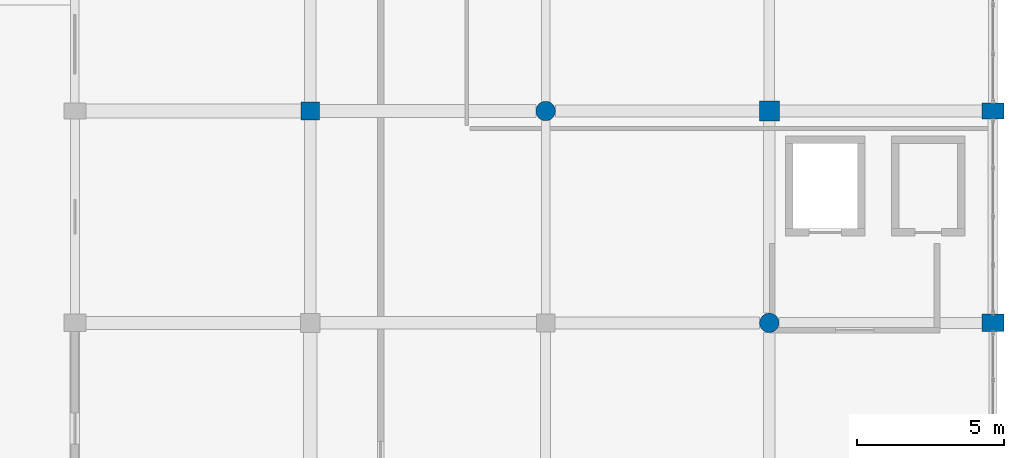
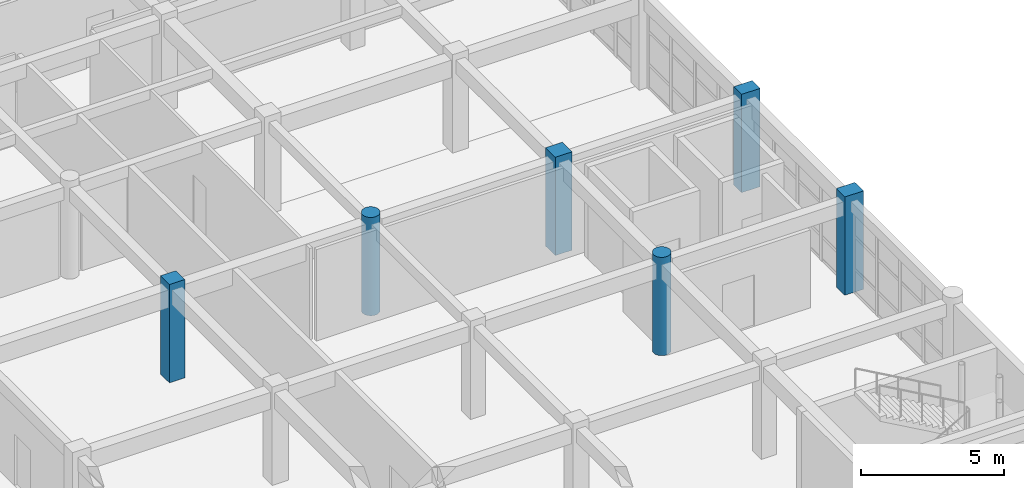
# One storey, part 29 of 195: 6 columns.
"""IFC4 building model written with IfcOpenShell, lengths in metres."""

from ifc_helpers import new_model, si_unit, direction, frame, origin, origin_2d, place, context, subcontext, project, spatial, rectangle, circle, extrude, material, material_profile, profile_set, type_object, element, save


model = new_model("IFC4")

# Units and contexts
model_context = context("Model", 3, precision=1e-05, world=origin(), true_north=direction((0.0, 1.0)))
body_context = subcontext(model_context, "Body", "Model", "MODEL_VIEW")
ifc_project = project(units=[si_unit("LENGTHUNIT", "METRE"), si_unit("AREAUNIT", "SQUARE_METRE"), si_unit("VOLUMEUNIT", "CUBIC_METRE"), si_unit("PLANEANGLEUNIT", "RADIAN"), si_unit("MASSUNIT", "GRAM", prefix="KILO")], contexts=[model_context])

# Site, building, storey
site_placement = place(None, origin())
site = spatial("IfcSite", under=ifc_project, at=site_placement, CompositionType="ELEMENT")
building_placement = place(site_placement, origin())
building = spatial("IfcBuilding", under=site, at=building_placement, Name="Kharva Crest Polytechnic", CompositionType="ELEMENT")
storey_placement = place(building_placement, frame((0.0, 0.0, 9.0)))
storey = spatial("IfcBuildingStorey", under=building, at=storey_placement, Name="L02", CompositionType="ELEMENT", Elevation=9.0)

# Columns
ifc_material = material(Name="Concrete C40/50", Category="concrete")
ifc_material_profile_1 = material_profile(ifc_material, rectangle(XDim=0.75, YDim=0.550048828125, at=origin_2d()), Name="RECT 750 X 550")
ifc_profile_set_1 = profile_set([ifc_material_profile_1], Name="Concrete C40/50")
column_type_1 = type_object("IfcColumnType", Name="COL-EXT-750X550", PredefinedType="COLUMN", material=ifc_profile_set_1)
column_1_placement = place(storey_placement, frame((184.0, 93.199951171875, 0.0), z_axis=(0.0, 0.0, 1.0), x_axis=(1.0, 0.0, 0.0)))
element("IfcColumn", 1, at=column_1_placement, inside=storey, type_object=column_type_1, Name="L02 Column 24/N", PredefinedType="COLUMN", context=body_context, shape_type="SweptSolid", body=[
    extrude(rectangle(XDim=0.75, YDim=0.550048828125, at=origin_2d()), origin(), (0.0, 0.0, 1.0), 4.199951171875),
])
ifc_material_profile_2 = material_profile(ifc_material, rectangle(XDim=0.75, YDim=0.60009765625, at=origin_2d()), Name="RECT 750 X 600")
ifc_profile_set_2 = profile_set([ifc_material_profile_2], Name="Concrete C40/50")
column_type_2 = type_object("IfcColumnType", Name="COL-EXT-750X600", PredefinedType="COLUMN", material=ifc_profile_set_2)
column_2_placement = place(storey_placement, frame((184.0, 86.0, 0.0), z_axis=(0.0, 0.0, 1.0), x_axis=(1.0, 0.0, 0.0)))
element("IfcColumn", 2, at=column_2_placement, inside=storey, type_object=column_type_2, Name="L02 Column 24/M", PredefinedType="COLUMN", context=body_context, shape_type="SweptSolid", body=[
    extrude(rectangle(XDim=0.75, YDim=0.60009765625, at=origin_2d()), origin(), (0.0, 0.0, 1.0), 4.199951171875),
])
ifc_material_profile_3 = material_profile(ifc_material, rectangle(XDim=0.6201171875, YDim=0.6201171875, at=origin_2d()), Name="RECT 620 X 620")
ifc_profile_set_3 = profile_set([ifc_material_profile_3], Name="Concrete C40/50")
column_type_3 = type_object("IfcColumnType", Name="COL-INT-620X620", PredefinedType="COLUMN", material=ifc_profile_set_3)
column_3_placement = place(storey_placement, frame((160.800048828125, 93.199951171875, 0.0), z_axis=(0.0, 0.0, 1.0), x_axis=(1.0, 0.0, 0.0)))
element("IfcColumn", 3, at=column_3_placement, inside=storey, type_object=column_type_3, Name="L02 Column 21/N", PredefinedType="COLUMN", context=body_context, shape_type="SweptSolid", body=[
    extrude(rectangle(XDim=0.6201171875, YDim=0.6201171875, at=origin_2d()), origin(), (0.0, 0.0, 1.0), 4.199951171875),
])
ifc_material_profile_4 = material_profile(ifc_material, rectangle(XDim=0.679931640625, YDim=0.679931640625, at=origin_2d()), Name="RECT 680 X 680")
ifc_profile_set_4 = profile_set([ifc_material_profile_4], Name="Concrete C40/50")
column_type_4 = type_object("IfcColumnType", Name="COL-INT-680X680", PredefinedType="COLUMN", material=ifc_profile_set_4)
column_4_placement = place(storey_placement, frame((176.39990234375, 93.199951171875, 0.0), z_axis=(0.0, 0.0, 1.0), x_axis=(1.0, 0.0, 0.0)))
element("IfcColumn", 4, at=column_4_placement, inside=storey, type_object=column_type_4, Name="L02 Column 23/N", PredefinedType="COLUMN", context=body_context, shape_type="SweptSolid", body=[
    extrude(rectangle(XDim=0.679931640625, YDim=0.679931640625, at=origin_2d()), origin(), (0.0, 0.0, 1.0), 4.199951171875),
])
ifc_material_profile_5 = material_profile(ifc_material, circle(Radius=0.330078125, at=origin_2d()), Name="DIA 660")
ifc_profile_set_5 = profile_set([ifc_material_profile_5], Name="Concrete C40/50")
column_type_5 = type_object("IfcColumnType", Name="COL-INT-DIA660", PredefinedType="COLUMN", material=ifc_profile_set_5)
for number, where, z_axis, x_axis, name in (
    (5, (168.800048828125, 93.199951171875, 0.0), (0.0, 0.0, 1.0), (1.0, 0.0, 0.0), "L02 Column 22/N"),
    (6, (176.39990234375, 86.0, 0.0), (0.0, 0.0, 1.0), (1.0, 0.0, 0.0), "L02 Column 23/M"),
):
    element("IfcColumn", number, at=place(storey_placement, frame(where, z_axis=z_axis, x_axis=x_axis)), inside=storey, type_object=column_type_5, Name=name, PredefinedType="COLUMN", context=body_context, shape_type="SweptSolid", body=[
        extrude(circle(Radius=0.330078125, at=origin_2d()), origin(), (0.0, 0.0, 1.0), 4.199951171875),
    ])

save(model, "model.ifc")
